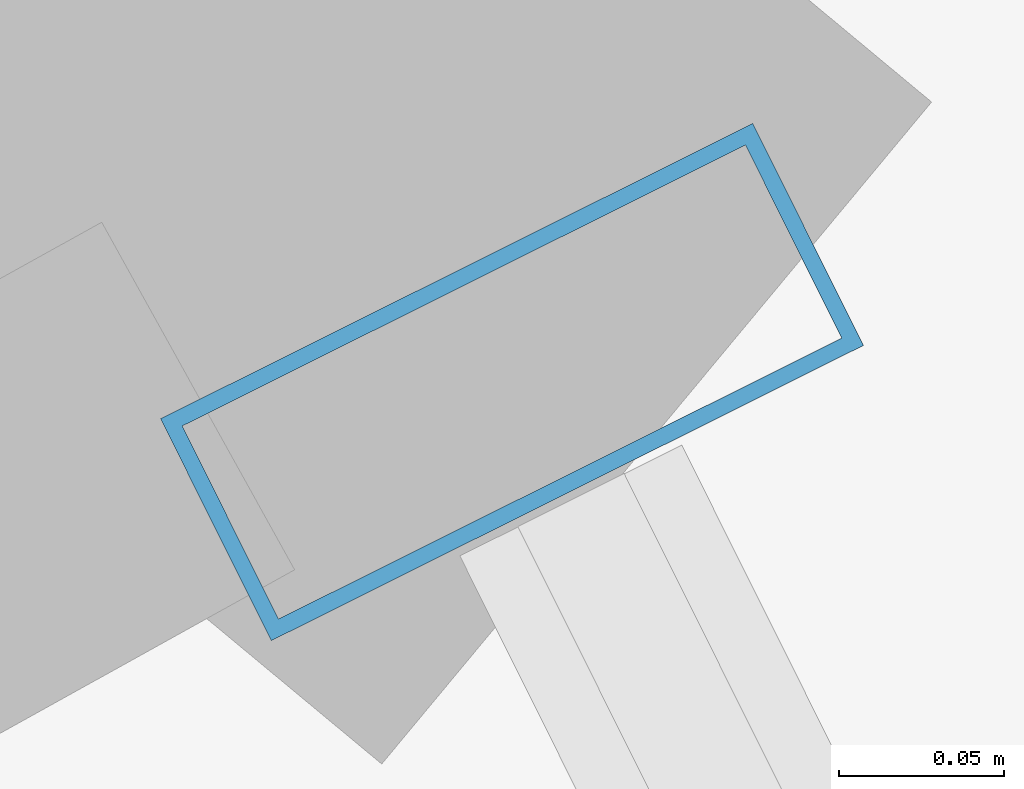
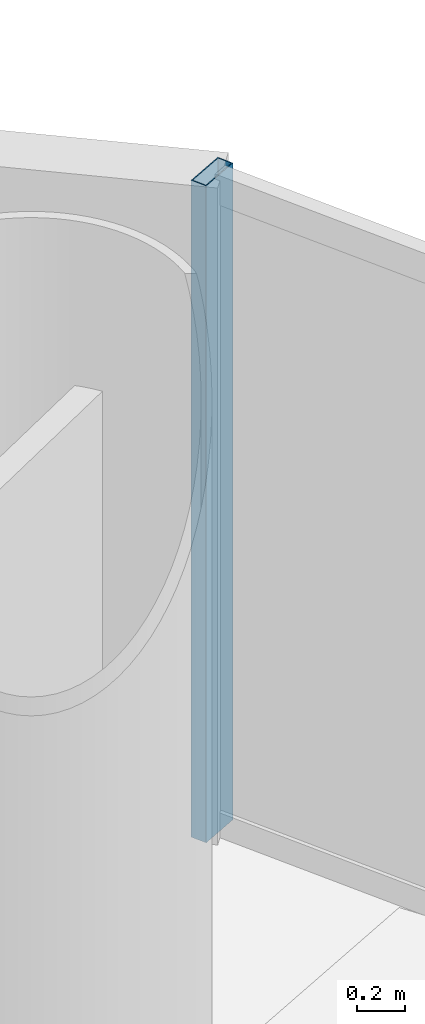
# One storey, part 19 of 28: 1 member, 1 element without a shape of its own.
"""IFC4 building model written with IfcOpenShell, lengths in metres."""

from ifc_helpers import new_model, si_unit, direction, frame, origin, origin_2d, place, context, subcontext, project, spatial, hollow_rectangle, extrude, source, transform, mapped, material, material_profile, profile_set, type_object, element, aggregate, save


model = new_model("IFC4")

# Units and contexts
model_context = context("Model", 3, precision=1e-05, world=origin(), true_north=direction((-0.2419218956, 0.970295726276)))
body_context = subcontext(model_context, "Body", "Model", "MODEL_VIEW")
ifc_project = project(units=[si_unit("LENGTHUNIT", "METRE"), si_unit("AREAUNIT", "SQUARE_METRE"), si_unit("VOLUMEUNIT", "CUBIC_METRE"), si_unit("PLANEANGLEUNIT", "RADIAN"), si_unit("MASSUNIT", "GRAM", prefix="KILO")], contexts=[model_context])

# Site, building, storey
site_placement = place(None, origin())
site = spatial("IfcSite", under=ifc_project, at=site_placement, CompositionType="ELEMENT")
building_placement = place(site_placement, origin())
building = spatial("IfcBuilding", under=site, at=building_placement, Name="Cobrevalo Terracotta Tower", CompositionType="ELEMENT")
storey_placement = place(building_placement, frame((0.0, 0.0, 105.0)))
storey = spatial("IfcBuildingStorey", under=building, at=storey_placement, Name="L27", CompositionType="ELEMENT", Elevation=105.0)

# Curtain wall, member
ifc_material = material(Name="Anodized aluminium", Category="aluminium")
curtain_wall_type = type_object("IfcCurtainWallType", Name="Lower-tower unitised acoustic low-E curtain wall CW-U1", PredefinedType="NOTDEFINED", material=ifc_material)
curtain_wall_placement = place(storey_placement, origin())
curtain_wall = element("IfcCurtainWall", 1, at=curtain_wall_placement, inside=storey, type_object=curtain_wall_type, Name="L27 curtain wall CW-L27-S01", PredefinedType="NOTDEFINED")
ifc_material_profile = material_profile(ifc_material, hollow_rectangle(XDim=0.074951171875, YDim=0.199951171875, WallThickness=0.0048828125, at=origin_2d()), Name="CWM 75x200")
ifc_profile_set = profile_set([ifc_material_profile], Name="Anodized aluminium")
member_type = type_object("IfcMemberType", Name="Lower/mid tower unitised mullion 75x200", PredefinedType="MULLION", material=ifc_profile_set)
shared_shape = source(origin(), body_context, "Body", "SweptSolid", [
    extrude(hollow_rectangle(XDim=0.074951171875, YDim=0.199951171875, WallThickness=0.0048828125, at=origin_2d()), origin(), (0.0, 0.0, 1.0), 3.324951171875),
])
member_placement = place(storey_placement, frame((60.110107421875, 39.025634765625, 0.0), z_axis=(0.0, 0.0, 1.0), x_axis=(-0.446260290227, 0.894903208937, 0.0)))
member = element("IfcMember", 2, at=member_placement, type_object=member_type, Name="CW-L27-S01 vertical mullion 03", PredefinedType="MULLION", context=body_context, shape_type="MappedRepresentation", body=[
    mapped(shared_shape, transform((0.0, 0.0, 0.0), scale=1.0)),
])
aggregate(curtain_wall, [member])

save(model, "model.ifc")
